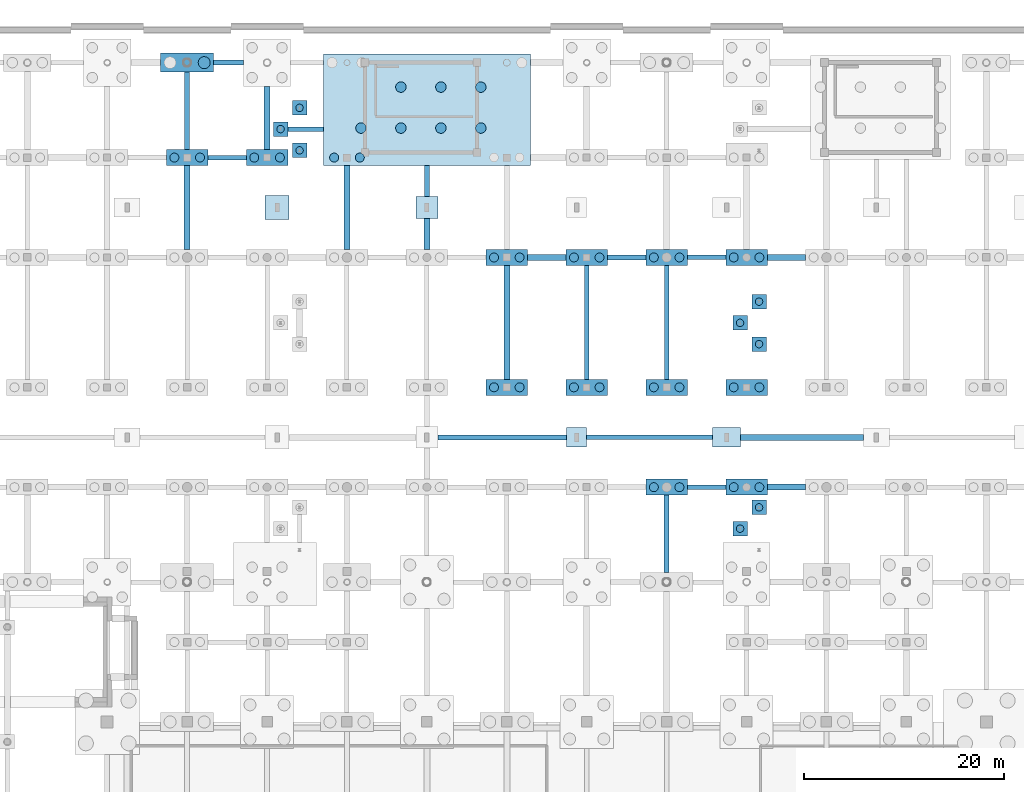
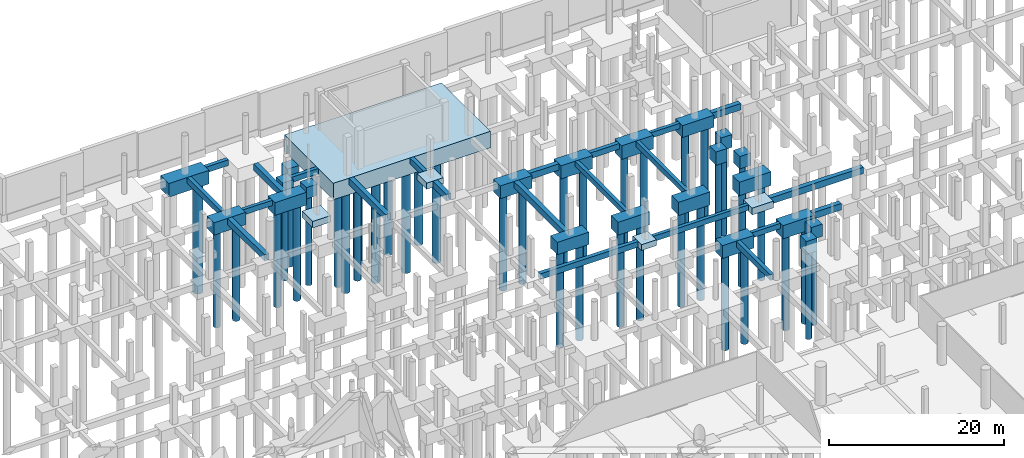
# One storey, part 15 of 65: 48 footings, 42 piles.
"""IFC4 building model written with IfcOpenShell, lengths in metres."""

from ifc_helpers import new_model, si_unit, direction, frame, origin, origin_2d, place, context, subcontext, project, spatial, rectangle, circle, extrude, material, material_profile, profile_set, type_object, element, save


model = new_model("IFC4")

# Units and contexts
model_context = context("Model", 3, precision=1e-05, world=origin(), true_north=direction((0.0, 1.0)))
body_context = subcontext(model_context, "Body", "Model", "MODEL_VIEW")
ifc_project = project(units=[si_unit("LENGTHUNIT", "METRE"), si_unit("AREAUNIT", "SQUARE_METRE"), si_unit("VOLUMEUNIT", "CUBIC_METRE"), si_unit("PLANEANGLEUNIT", "RADIAN"), si_unit("MASSUNIT", "GRAM", prefix="KILO")], contexts=[model_context])

# Site, building, storey
site_placement = place(None, origin())
site = spatial("IfcSite", under=ifc_project, at=site_placement, CompositionType="ELEMENT")
building_placement = place(site_placement, origin())
building = spatial("IfcBuilding", under=site, at=building_placement, Name="Khorjan Park Terminus", CompositionType="ELEMENT")
storey_placement = place(building_placement, frame((0.0, 0.0, -5.4)))
storey = spatial("IfcBuildingStorey", under=building, at=storey_placement, Name="B1", CompositionType="ELEMENT", Elevation=-5.4)

# Footings
ifc_material = material(Name="Concrete C40/50", Category="concrete")
ifc_material_profile_1 = material_profile(ifc_material, rectangle(XDim=0.45, YDim=0.75, at=origin_2d()), Name="RC 450x750")
ifc_profile_set_1 = profile_set([ifc_material_profile_1], Name="Concrete C40/50")
footing_type_1 = type_object("IfcFootingType", Name="FTG-GB-450x750", PredefinedType="FOOTING_BEAM", material=ifc_profile_set_1)
footing_1_placement = place(storey_placement, frame((106.082, 111.5, -0.375), z_axis=(1.0, 0.0, 0.0), x_axis=(0.0, 1.0, 0.0)))
element("IfcFooting", 1, at=footing_1_placement, inside=storey, type_object=footing_type_1, Name="Reinforced concrete ground tie beam FB-07 (119)", PredefinedType="FOOTING_BEAM", context=body_context, shape_type="SweptSolid", body=[
    extrude(rectangle(XDim=0.45, YDim=0.75, at=origin_2d()), origin(), (0.0, 0.0, 1.0), 3.836),
])
footing_2_placement = place(storey_placement, frame((96.0, 116.5, -0.375), z_axis=(1.0, 0.0, 0.0), x_axis=(0.0, 1.0, 0.0)))
element("IfcFooting", 2, at=footing_2_placement, inside=storey, type_object=footing_type_1, Name="Reinforced concrete ground tie beam FB-07 (131)", PredefinedType="FOOTING_BEAM", context=body_context, shape_type="SweptSolid", body=[
    extrude(rectangle(XDim=0.45, YDim=0.75, at=origin_2d()), origin(), (0.0, 0.0, 1.0), 12.6),
])
footing_3_placement = place(storey_placement, frame((106.082, 134.5, -0.375), z_axis=(1.0, 0.0, 0.0), x_axis=(0.0, 1.0, 0.0)))
element("IfcFooting", 3, at=footing_3_placement, inside=storey, type_object=footing_type_1, Name="Reinforced concrete ground tie beam FB-07 (146)", PredefinedType="FOOTING_BEAM", context=body_context, shape_type="SweptSolid", body=[
    extrude(rectangle(XDim=0.45, YDim=0.75, at=origin_2d()), origin(), (0.0, 0.0, 1.0), 3.836),
])
footing_4_placement = place(storey_placement, frame((58.083, 144.5, -0.375), z_axis=(1.0, 0.0, 0.0), x_axis=(0.0, 1.0, 0.0)))
element("IfcFooting", 4, at=footing_4_placement, inside=storey, type_object=footing_type_1, Name="Reinforced concrete ground tie beam FB-07 (158)", PredefinedType="FOOTING_BEAM", context=body_context, shape_type="SweptSolid", body=[
    extrude(rectangle(XDim=0.45, YDim=0.75, at=origin_2d()), origin(), (0.0, 0.0, 1.0), 3.834),
])
footing_5_placement = place(storey_placement, frame((66.075, 147.35, -0.375), z_axis=(1.0, 0.0, 0.0), x_axis=(0.0, 1.0, 0.0)))
element("IfcFooting", 5, at=footing_5_placement, inside=storey, type_object=footing_type_1, Name="Reinforced concrete ground tie beam FB-07 (164)", PredefinedType="FOOTING_BEAM", context=body_context, shape_type="SweptSolid", body=[
    extrude(rectangle(XDim=0.45, YDim=0.75, at=origin_2d()), origin(), (0.0, 0.0, 1.0), 3.554),
])
for number, where, z_axis, x_axis, name in (
    (6, (96.0, 122.3, -0.375), (0.0, 1.0, 0.0), (-1.0, 0.0, 0.0), "Reinforced concrete ground tie beam FB-07 (326)"),
    (7, (104.0, 122.3, -0.375), (0.0, 1.0, 0.0), (-1.0, 0.0, 0.0), "Reinforced concrete ground tie beam FB-07 (338)"),
):
    element("IfcFooting", number, at=place(storey_placement, frame(where, z_axis=z_axis, x_axis=x_axis)), inside=storey, type_object=footing_type_1, Name=name, PredefinedType="FOOTING_BEAM", context=body_context, shape_type="SweptSolid", body=[
        extrude(rectangle(XDim=0.45, YDim=0.75, at=origin_2d()), origin(), (0.0, 0.0, 1.0), 11.4),
    ])
ifc_material_profile_2 = material_profile(ifc_material, rectangle(XDim=0.5, YDim=0.8, at=origin_2d()), Name="RC 500x800")
ifc_profile_set_2 = profile_set([ifc_material_profile_2], Name="Concrete C40/50")
footing_type_2 = type_object("IfcFootingType", Name="FTG-GB-500x800", PredefinedType="FOOTING_BEAM", material=ifc_profile_set_2)
footing_6_placement = place(storey_placement, frame((81.1, 116.5, -0.4), z_axis=(1.0, 0.0, 0.0), x_axis=(0.0, 1.0, 0.0)))
element("IfcFooting", 8, at=footing_6_placement, inside=storey, type_object=footing_type_2, Name="Reinforced concrete ground tie beam FB-08 (130)", PredefinedType="FOOTING_BEAM", context=body_context, shape_type="SweptSolid", body=[
    extrude(rectangle(XDim=0.5, YDim=0.8, at=origin_2d()), origin(), (0.0, 0.0, 1.0), 12.9),
])
footing_7_placement = place(storey_placement, frame((98.082, 134.5, -0.4), z_axis=(1.0, 0.0, 0.0), x_axis=(0.0, 1.0, 0.0)))
element("IfcFooting", 9, at=footing_7_placement, inside=storey, type_object=footing_type_2, Name="Reinforced concrete ground tie beam FB-08 (145)", PredefinedType="FOOTING_BEAM", context=body_context, shape_type="SweptSolid", body=[
    extrude(rectangle(XDim=0.5, YDim=0.8, at=origin_2d()), origin(), (0.0, 0.0, 1.0), 3.836),
])
footing_8_placement = place(storey_placement, frame((58.66, 154.0, -0.4), z_axis=(1.0, 0.0, 0.0), x_axis=(0.0, 1.0, 0.0)))
element("IfcFooting", 10, at=footing_8_placement, inside=storey, type_object=footing_type_2, Name="Reinforced concrete ground tie beam FB-08 (172)", PredefinedType="FOOTING_BEAM", context=body_context, shape_type="SweptSolid", body=[
    extrude(rectangle(XDim=0.5, YDim=0.8, at=origin_2d()), origin(), (0.0, 0.0, 1.0), 2.969),
])
footing_9_placement = place(storey_placement, frame((56.0, 145.3, -0.4), z_axis=(0.0, 1.0, 0.0), x_axis=(-1.0, 0.0, 0.0)))
element("IfcFooting", 11, at=footing_9_placement, inside=storey, type_object=footing_type_2, Name="Reinforced concrete ground tie beam FB-08 (253)", PredefinedType="FOOTING_BEAM", context=body_context, shape_type="SweptSolid", body=[
    extrude(rectangle(XDim=0.5, YDim=0.8, at=origin_2d()), origin(), (0.0, 0.0, 1.0), 7.75),
])
footing_10_placement = place(storey_placement, frame((80.0, 140.6, -0.4), z_axis=(0.0, 1.0, 0.0), x_axis=(-1.0, 0.0, 0.0)))
element("IfcFooting", 12, at=footing_10_placement, inside=storey, type_object=footing_type_2, Name="Reinforced concrete ground tie beam FB-08 (301)", PredefinedType="FOOTING_BEAM", context=body_context, shape_type="SweptSolid", body=[
    extrude(rectangle(XDim=0.5, YDim=0.8, at=origin_2d()), origin(), (0.0, 0.0, 1.0), 3.1),
])
footing_11_placement = place(storey_placement, frame((104.0, 102.95, -0.4), z_axis=(0.0, 1.0, 0.0), x_axis=(-1.0, 0.0, 0.0)))
element("IfcFooting", 13, at=footing_11_placement, inside=storey, type_object=footing_type_2, Name="Reinforced concrete ground tie beam FB-08 (337)", PredefinedType="FOOTING_BEAM", context=body_context, shape_type="SweptSolid", body=[
    extrude(rectangle(XDim=0.5, YDim=0.8, at=origin_2d()), origin(), (0.0, 0.0, 1.0), 7.75),
])
ifc_material_profile_3 = material_profile(ifc_material, rectangle(XDim=0.6, YDim=0.9, at=origin_2d()), Name="RC 600x900")
ifc_profile_set_3 = profile_set([ifc_material_profile_3], Name="Concrete C40/50")
footing_type_3 = type_object("IfcFootingType", Name="FTG-GB-600x900", PredefinedType="FOOTING_BEAM", material=ifc_profile_set_3)
footing_12_placement = place(storey_placement, frame((114.082, 111.5, -0.45), z_axis=(1.0, 0.0, 0.0), x_axis=(0.0, 1.0, 0.0)))
element("IfcFooting", 14, at=footing_12_placement, inside=storey, type_object=footing_type_3, Name="Reinforced concrete ground tie beam FB-09 (120)", PredefinedType="FOOTING_BEAM", context=body_context, shape_type="SweptSolid", body=[
    extrude(rectangle(XDim=0.6, YDim=0.9, at=origin_2d()), origin(), (0.0, 0.0, 1.0), 3.836),
])
footing_13_placement = place(storey_placement, frame((111.4, 116.5, -0.45), z_axis=(1.0, 0.0, 0.0), x_axis=(0.0, 1.0, 0.0)))
element("IfcFooting", 15, at=footing_13_placement, inside=storey, type_object=footing_type_3, Name="Reinforced concrete ground tie beam FB-09 (132)", PredefinedType="FOOTING_BEAM", context=body_context, shape_type="SweptSolid", body=[
    extrude(rectangle(XDim=0.6, YDim=0.9, at=origin_2d()), origin(), (0.0, 0.0, 1.0), 12.3),
])
for number, where, z_axis, x_axis, name in (
    (16, (90.082, 134.5, -0.45), (1.0, 0.0, 0.0), (0.0, 1.0, 0.0), "Reinforced concrete ground tie beam FB-09 (144)"),
    (17, (114.082, 134.5, -0.45), (1.0, 0.0, 0.0), (0.0, 1.0, 0.0), "Reinforced concrete ground tie beam FB-09 (147)"),
):
    element("IfcFooting", number, at=place(storey_placement, frame(where, z_axis=z_axis, x_axis=x_axis)), inside=storey, type_object=footing_type_3, Name=name, PredefinedType="FOOTING_BEAM", context=body_context, shape_type="SweptSolid", body=[
        extrude(rectangle(XDim=0.6, YDim=0.9, at=origin_2d()), origin(), (0.0, 0.0, 1.0), 3.836),
    ])
footing_14_placement = place(storey_placement, frame((56.0, 135.3, -0.45), z_axis=(0.0, 1.0, 0.0), x_axis=(-1.0, 0.0, 0.0)))
element("IfcFooting", 18, at=footing_14_placement, inside=storey, type_object=footing_type_3, Name="Reinforced concrete ground tie beam FB-09 (252)", PredefinedType="FOOTING_BEAM", context=body_context, shape_type="SweptSolid", body=[
    extrude(rectangle(XDim=0.6, YDim=0.9, at=origin_2d()), origin(), (0.0, 0.0, 1.0), 8.4),
])
footing_15_placement = place(storey_placement, frame((64.0, 145.3, -0.45), z_axis=(0.0, 1.0, 0.0), x_axis=(-1.0, 0.0, 0.0)))
element("IfcFooting", 19, at=footing_15_placement, inside=storey, type_object=footing_type_3, Name="Reinforced concrete ground tie beam FB-09 (270)", PredefinedType="FOOTING_BEAM", context=body_context, shape_type="SweptSolid", body=[
    extrude(rectangle(XDim=0.6, YDim=0.9, at=origin_2d()), origin(), (0.0, 0.0, 1.0), 6.329),
])
footing_16_placement = place(storey_placement, frame((72.0, 135.3, -0.45), z_axis=(0.0, 1.0, 0.0), x_axis=(-1.0, 0.0, 0.0)))
element("IfcFooting", 20, at=footing_16_placement, inside=storey, type_object=footing_type_3, Name="Reinforced concrete ground tie beam FB-09 (282)", PredefinedType="FOOTING_BEAM", context=body_context, shape_type="SweptSolid", body=[
    extrude(rectangle(XDim=0.6, YDim=0.9, at=origin_2d()), origin(), (0.0, 0.0, 1.0), 8.4),
])
footing_17_placement = place(storey_placement, frame((80.0, 135.3, -0.45), z_axis=(0.0, 1.0, 0.0), x_axis=(-1.0, 0.0, 0.0)))
element("IfcFooting", 21, at=footing_17_placement, inside=storey, type_object=footing_type_3, Name="Reinforced concrete ground tie beam FB-09 (300)", PredefinedType="FOOTING_BEAM", context=body_context, shape_type="SweptSolid", body=[
    extrude(rectangle(XDim=0.6, YDim=0.9, at=origin_2d()), origin(), (0.0, 0.0, 1.0), 3.1),
])
footing_18_placement = place(storey_placement, frame((88.0, 122.3, -0.45), z_axis=(0.0, 1.0, 0.0), x_axis=(-1.0, 0.0, 0.0)))
element("IfcFooting", 22, at=footing_18_placement, inside=storey, type_object=footing_type_3, Name="Reinforced concrete ground tie beam FB-09 (312)", PredefinedType="FOOTING_BEAM", context=body_context, shape_type="SweptSolid", body=[
    extrude(rectangle(XDim=0.6, YDim=0.9, at=origin_2d()), origin(), (0.0, 0.0, 1.0), 11.4),
])
footing_type_4 = type_object("IfcFootingType", Name="FTG-PAD-2000", PredefinedType="PAD_FOOTING", material=ifc_material)
footing_19_placement = place(storey_placement, frame((95.0, 116.5, -0.8), z_axis=(0.0, 0.0, 1.0), x_axis=(1.0, 0.0, 0.0)))
element("IfcFooting", 23, at=footing_19_placement, inside=storey, type_object=footing_type_4, Name="Reinforced concrete pad footing PF-20 (7)", PredefinedType="PAD_FOOTING", context=body_context, shape_type="SweptSolid", body=[
    extrude(rectangle(XDim=2.0, YDim=2.0, at=origin_2d()), origin(), (0.0, 0.0, 1.0), 0.8),
])
footing_type_5 = type_object("IfcFootingType", Name="FTG-PAD-2200", PredefinedType="PAD_FOOTING", material=ifc_material)
footing_20_placement = place(storey_placement, frame((80.0, 139.5, -0.85), z_axis=(0.0, 0.0, 1.0), x_axis=(1.0, 0.0, 0.0)))
element("IfcFooting", 24, at=footing_20_placement, inside=storey, type_object=footing_type_5, Name="Reinforced concrete pad footing PF-22 (16)", PredefinedType="PAD_FOOTING", context=body_context, shape_type="SweptSolid", body=[
    extrude(rectangle(XDim=2.2, YDim=2.2, at=origin_2d()), origin(), (0.0, 0.0, 1.0), 0.85),
])
footing_type_6 = type_object("IfcFootingType", Name="FTG-PAD-2400", PredefinedType="PAD_FOOTING", material=ifc_material)
footing_21_placement = place(storey_placement, frame((65.0, 139.5, -0.9), z_axis=(0.0, 0.0, 1.0), x_axis=(1.0, 0.0, 0.0)))
element("IfcFooting", 25, at=footing_21_placement, inside=storey, type_object=footing_type_6, Name="Reinforced concrete pad footing PF-24 (15)", PredefinedType="PAD_FOOTING", context=body_context, shape_type="SweptSolid", body=[
    extrude(rectangle(XDim=2.4, YDim=2.4, at=origin_2d()), origin(), (0.0, 0.0, 1.0), 0.9),
])
footing_type_7 = type_object("IfcFootingType", Name="FTG-PAD-2800x2000", PredefinedType="PAD_FOOTING", material=ifc_material)
footing_22_placement = place(storey_placement, frame((110.0, 116.5, -0.95), z_axis=(0.0, 0.0, 1.0), x_axis=(1.0, 0.0, 0.0)))
element("IfcFooting", 26, at=footing_22_placement, inside=storey, type_object=footing_type_7, Name="Reinforced concrete pad footing PF-28 (8)", PredefinedType="PAD_FOOTING", context=body_context, shape_type="SweptSolid", body=[
    extrude(rectangle(XDim=2.8, YDim=2.0, at=origin_2d()), origin(), (0.0, 0.0, 1.0), 0.95),
])
footing_type_8 = type_object("IfcFootingType", Name="FTG-PC-05", PredefinedType="PILE_CAP", material=ifc_material)
footing_23_placement = place(storey_placement, frame((63.9995, 144.5, -1.78), z_axis=(0.0, 0.0, 1.0), x_axis=(1.0, 0.0, 0.0)))
element("IfcFooting", 27, at=footing_23_placement, inside=storey, type_object=footing_type_8, Name="Reinforced concrete pile cap PC-05 (113)", PredefinedType="PILE_CAP", context=body_context, shape_type="SweptSolid", body=[
    extrude(rectangle(XDim=4.165, YDim=1.6, at=origin_2d()), origin(), (0.0, 0.0, 1.0), 1.78),
])
footing_type_9 = type_object("IfcFootingType", Name="FTG-PC-08", PredefinedType="PILE_CAP", material=ifc_material)
footing_24_placement = place(storey_placement, frame((56.0, 144.5, -1.72), z_axis=(0.0, 0.0, 1.0), x_axis=(1.0, 0.0, 0.0)))
element("IfcFooting", 28, at=footing_24_placement, inside=storey, type_object=footing_type_9, Name="Reinforced concrete pile cap PC-08 (91)", PredefinedType="PILE_CAP", context=body_context, shape_type="SweptSolid", body=[
    extrude(rectangle(XDim=4.166, YDim=1.6, at=origin_2d()), origin(), (0.0, 0.0, 1.0), 1.72),
])
footing_type_10 = type_object("IfcFootingType", Name="FTG-PC-11", PredefinedType="PILE_CAP", material=ifc_material)
for number, where, z_axis, x_axis, name in (
    (29, (96.0, 134.5, -1.84), (0.0, 0.0, 1.0), (1.0, 0.0, 0.0), "Reinforced concrete pile cap PC-11 (187)"),
    (30, (104.0, 121.5, -1.84), (0.0, 0.0, 1.0), (1.0, 0.0, 0.0), "Reinforced concrete pile cap PC-11 (204)"),
    (31, (112.0, 111.5, -1.84), (0.0, 0.0, 1.0), (1.0, 0.0, 0.0), "Reinforced concrete pile cap PC-11 (219)"),
):
    element("IfcFooting", number, at=place(storey_placement, frame(where, z_axis=z_axis, x_axis=x_axis)), inside=storey, type_object=footing_type_10, Name=name, PredefinedType="PILE_CAP", context=body_context, shape_type="SweptSolid", body=[
        extrude(rectangle(XDim=4.164, YDim=1.6, at=origin_2d()), origin(), (0.0, 0.0, 1.0), 1.84),
    ])
footing_type_11 = type_object("IfcFootingType", Name="FTG-PC-12", PredefinedType="PILE_CAP", material=ifc_material)
for number, where, z_axis, x_axis, name in (
    (32, (104.0, 134.5, -1.9), (0.0, 0.0, 1.0), (1.0, 0.0, 0.0), "Reinforced concrete pile cap PC-12 (205)"),
    (33, (112.0, 121.5, -1.9), (0.0, 0.0, 1.0), (1.0, 0.0, 0.0), "Reinforced concrete pile cap PC-12 (220)"),
):
    element("IfcFooting", number, at=place(storey_placement, frame(where, z_axis=z_axis, x_axis=x_axis)), inside=storey, type_object=footing_type_11, Name=name, PredefinedType="PILE_CAP", context=body_context, shape_type="SweptSolid", body=[
        extrude(rectangle(XDim=4.164, YDim=1.6, at=origin_2d()), origin(), (0.0, 0.0, 1.0), 1.9),
    ])
footing_type_12 = type_object("IfcFootingType", Name="FTG-PC-13", PredefinedType="PILE_CAP", material=ifc_material)
footing_25_placement = place(storey_placement, frame((112.0, 134.5, -1.66), z_axis=(0.0, 0.0, 1.0), x_axis=(1.0, 0.0, 0.0)))
element("IfcFooting", 34, at=footing_25_placement, inside=storey, type_object=footing_type_12, Name="Reinforced concrete pile cap PC-13 (221)", PredefinedType="PILE_CAP", context=body_context, shape_type="SweptSolid", body=[
    extrude(rectangle(XDim=4.164, YDim=1.6, at=origin_2d()), origin(), (0.0, 0.0, 1.0), 1.66),
])
footing_type_13 = type_object("IfcFootingType", Name="FTG-PC-14", PredefinedType="PILE_CAP", material=ifc_material)
footing_26_placement = place(storey_placement, frame((88.0, 121.5, -1.72), z_axis=(0.0, 0.0, 1.0), x_axis=(1.0, 0.0, 0.0)))
element("IfcFooting", 35, at=footing_26_placement, inside=storey, type_object=footing_type_13, Name="Reinforced concrete pile cap PC-14 (168)", PredefinedType="PILE_CAP", context=body_context, shape_type="SweptSolid", body=[
    extrude(rectangle(XDim=4.164, YDim=1.6, at=origin_2d()), origin(), (0.0, 0.0, 1.0), 1.72),
])
footing_type_14 = type_object("IfcFootingType", Name="FTG-PC-15", PredefinedType="PILE_CAP", material=ifc_material)
footing_27_placement = place(storey_placement, frame((67.25, 145.22, -1.6), z_axis=(0.0, 0.0, 1.0), x_axis=(1.0, 0.0, 0.0)))
element("IfcFooting", 36, at=footing_27_placement, inside=storey, type_object=footing_type_14, Name="Reinforced concrete pile cap PC-15 (124)", PredefinedType="PILE_CAP", context=body_context, shape_type="SweptSolid", body=[
    extrude(rectangle(XDim=1.45, YDim=1.45, at=origin_2d()), origin(), (0.0, 0.0, 1.0), 1.6),
])
footing_type_15 = type_object("IfcFootingType", Name="FTG-PC-16", PredefinedType="PILE_CAP", material=ifc_material)
footing_28_placement = place(storey_placement, frame((67.25, 149.48, -1.66), z_axis=(0.0, 0.0, 1.0), x_axis=(1.0, 0.0, 0.0)))
element("IfcFooting", 37, at=footing_28_placement, inside=storey, type_object=footing_type_15, Name="Reinforced concrete pile cap PC-16 (125)", PredefinedType="PILE_CAP", context=body_context, shape_type="SweptSolid", body=[
    extrude(rectangle(XDim=1.45, YDim=1.45, at=origin_2d()), origin(), (0.0, 0.0, 1.0), 1.66),
])
footing_type_16 = type_object("IfcFootingType", Name="FTG-PC-17", PredefinedType="PILE_CAP", material=ifc_material)
for number, where, z_axis, x_axis, name in (
    (38, (65.35, 147.35, -1.72), (0.0, 0.0, 1.0), (1.0, 0.0, 0.0), "Reinforced concrete pile cap PC-17 (120)"),
    (39, (113.25, 109.48, -1.72), (0.0, 0.0, 1.0), (1.0, 0.0, 0.0), "Reinforced concrete pile cap PC-17 (228)"),
    (40, (113.25, 125.82, -1.72), (0.0, 0.0, 1.0), (1.0, 0.0, 0.0), "Reinforced concrete pile cap PC-17 (229)"),
):
    element("IfcFooting", number, at=place(storey_placement, frame(where, z_axis=z_axis, x_axis=x_axis)), inside=storey, type_object=footing_type_16, Name=name, PredefinedType="PILE_CAP", context=body_context, shape_type="SweptSolid", body=[
        extrude(rectangle(XDim=1.45, YDim=1.45, at=origin_2d()), origin(), (0.0, 0.0, 1.0), 1.72),
    ])
footing_type_17 = type_object("IfcFootingType", Name="FTG-PC-18", PredefinedType="PILE_CAP", material=ifc_material)
for number, where, z_axis, x_axis, name in (
    (41, (88.0, 134.5, -1.78), (0.0, 0.0, 1.0), (1.0, 0.0, 0.0), "Reinforced concrete pile cap PC-18 (169)"),
    (42, (96.0, 121.5, -1.78), (0.0, 0.0, 1.0), (1.0, 0.0, 0.0), "Reinforced concrete pile cap PC-18 (186)"),
    (43, (104.0, 111.5, -1.78), (0.0, 0.0, 1.0), (1.0, 0.0, 0.0), "Reinforced concrete pile cap PC-18 (203)"),
):
    element("IfcFooting", number, at=place(storey_placement, frame(where, z_axis=z_axis, x_axis=x_axis)), inside=storey, type_object=footing_type_17, Name=name, PredefinedType="PILE_CAP", context=body_context, shape_type="SweptSolid", body=[
        extrude(rectangle(XDim=4.164, YDim=1.6, at=origin_2d()), origin(), (0.0, 0.0, 1.0), 1.78),
    ])
footing_type_18 = type_object("IfcFootingType", Name="FTG-PC-21", PredefinedType="PILE_CAP", material=ifc_material)
footing_29_placement = place(storey_placement, frame((111.35, 127.95, -1.84), z_axis=(0.0, 0.0, 1.0), x_axis=(1.0, 0.0, 0.0)))
element("IfcFooting", 44, at=footing_29_placement, inside=storey, type_object=footing_type_18, Name="Reinforced concrete pile cap PC-21 (224)", PredefinedType="PILE_CAP", context=body_context, shape_type="SweptSolid", body=[
    extrude(rectangle(XDim=1.45, YDim=1.45, at=origin_2d()), origin(), (0.0, 0.0, 1.0), 1.84),
])
footing_type_19 = type_object("IfcFootingType", Name="FTG-PC-22", PredefinedType="PILE_CAP", material=ifc_material)
for number, where, z_axis, x_axis, name in (
    (45, (111.35, 107.35, -1.78), (0.0, 0.0, 1.0), (1.0, 0.0, 0.0), "Reinforced concrete pile cap PC-22 (223)"),
    (46, (113.25, 130.08, -1.78), (0.0, 0.0, 1.0), (1.0, 0.0, 0.0), "Reinforced concrete pile cap PC-22 (230)"),
):
    element("IfcFooting", number, at=place(storey_placement, frame(where, z_axis=z_axis, x_axis=x_axis)), inside=storey, type_object=footing_type_19, Name=name, PredefinedType="PILE_CAP", context=body_context, shape_type="SweptSolid", body=[
        extrude(rectangle(XDim=1.45, YDim=1.45, at=origin_2d()), origin(), (0.0, 0.0, 1.0), 1.78),
    ])
footing_type_20 = type_object("IfcFootingType", Name="FTG-PC-34", PredefinedType="PILE_CAP", material=ifc_material)
footing_30_placement = place(storey_placement, frame((56.0, 154.0, -1.9), z_axis=(0.0, 0.0, 1.0), x_axis=(1.0, 0.0, 0.0)))
element("IfcFooting", 47, at=footing_30_placement, inside=storey, type_object=footing_type_20, Name="Reinforced concrete pile cap PC-34 (86)", PredefinedType="PILE_CAP", context=body_context, shape_type="SweptSolid", body=[
    extrude(rectangle(XDim=5.32, YDim=1.9, at=origin_2d()), origin(), (0.0, 0.0, 1.0), 1.9),
])
footing_type_21 = type_object("IfcFootingType", Name="FTG-PC-44", PredefinedType="PILE_CAP", material=ifc_material)
footing_31_placement = place(storey_placement, frame((80.0, 149.2875, -2.3), z_axis=(0.0, 0.0, 1.0), x_axis=(1.0, 0.0, 0.0)))
element("IfcFooting", 48, at=footing_31_placement, inside=storey, type_object=footing_type_21, Name="Reinforced concrete pile cap PC-44 (131)", PredefinedType="PILE_CAP", context=body_context, shape_type="SweptSolid", body=[
    extrude(rectangle(XDim=20.742, YDim=11.175, at=origin_2d()), origin(), (0.0, 0.0, 1.0), 2.3),
])

# Piles
ifc_material_profile_4 = material_profile(ifc_material, circle(Radius=0.525, at=origin_2d()), Name="BORED D1050")
ifc_profile_set_4 = profile_set([ifc_material_profile_4], Name="Concrete C40/50")
pile_type_1 = type_object("IfcPileType", Name="PL-D1050", PredefinedType="BORED", material=ifc_profile_set_4)
for number, where, z_axis, x_axis, name in (
    (49, (73.4, 147.45, -2.2), (0.0, 0.0, -1.0), (1.0, 0.0, 0.0), "Bored rock-socketed pile PL-105 (291)"),
    (50, (77.4, 147.45, -2.2), (0.0, 0.0, -1.0), (1.0, 0.0, 0.0), "Bored rock-socketed pile PL-105 (292)"),
    (51, (77.4, 151.55, -2.2), (0.0, 0.0, -1.0), (1.0, 0.0, 0.0), "Bored rock-socketed pile PL-105 (293)"),
    (52, (81.4, 147.45, -2.2), (0.0, 0.0, -1.0), (1.0, 0.0, 0.0), "Bored rock-socketed pile PL-105 (294)"),
    (53, (81.4, 151.55, -2.2), (0.0, 0.0, -1.0), (1.0, 0.0, 0.0), "Bored rock-socketed pile PL-105 (295)"),
    (54, (85.4, 147.45, -2.2), (0.0, 0.0, -1.0), (1.0, 0.0, 0.0), "Bored rock-socketed pile PL-105 (296)"),
    (55, (85.4, 151.55, -2.2), (0.0, 0.0, -1.0), (1.0, 0.0, 0.0), "Bored rock-socketed pile PL-105 (297)"),
):
    element("IfcPile", number, at=place(storey_placement, frame(where, z_axis=z_axis, x_axis=x_axis)), inside=storey, type_object=pile_type_1, Name=name, PredefinedType="BORED", context=body_context, shape_type="SweptSolid", body=[
        extrude(circle(Radius=0.525, at=origin_2d()), origin(), (0.0, 0.0, 1.0), 16.4),
    ])
ifc_material_profile_5 = material_profile(ifc_material, circle(Radius=0.6, at=origin_2d()), Name="BORED D1200")
ifc_profile_set_5 = profile_set([ifc_material_profile_5], Name="Concrete C40/50")
pile_type_2 = type_object("IfcPileType", Name="PL-D1200", PredefinedType="BORED", material=ifc_profile_set_5)
pile_1_placement = place(storey_placement, frame((57.71, 154.0, -1.8), z_axis=(0.0, 0.0, -1.0), x_axis=(1.0, 0.0, 0.0)))
element("IfcPile", 56, at=pile_1_placement, inside=storey, type_object=pile_type_2, Name="Bored rock-socketed pile PL-120 (209)", PredefinedType="BORED", context=body_context, shape_type="SweptSolid", body=[
    extrude(circle(Radius=0.6, at=origin_2d()), origin(), (0.0, 0.0, 1.0), 15.3),
])
ifc_material_profile_6 = material_profile(ifc_material, circle(Radius=0.375, at=origin_2d()), Name="BORED D750")
ifc_profile_set_6 = profile_set([ifc_material_profile_6], Name="Concrete C40/50")
pile_type_3 = type_object("IfcPileType", Name="PL-D750", PredefinedType="BORED", material=ifc_profile_set_6)
pile_2_placement = place(storey_placement, frame((65.35, 147.35, -1.62), z_axis=(0.0, 0.0, -1.0), x_axis=(1.0, 0.0, 0.0)))
element("IfcPile", 57, at=pile_2_placement, inside=storey, type_object=pile_type_3, Name="Bored rock-socketed pile PL-75 (274)", PredefinedType="BORED", context=body_context, shape_type="SweptSolid", body=[
    extrude(circle(Radius=0.375, at=origin_2d()), origin(), (0.0, 0.0, 1.0), 12.48),
])
pile_3_placement = place(storey_placement, frame((67.25, 145.22, -1.5), z_axis=(0.0, 0.0, -1.0), x_axis=(1.0, 0.0, 0.0)))
element("IfcPile", 58, at=pile_3_placement, inside=storey, type_object=pile_type_3, Name="Bored rock-socketed pile PL-75 (278)", PredefinedType="BORED", context=body_context, shape_type="SweptSolid", body=[
    extrude(circle(Radius=0.375, at=origin_2d()), origin(), (0.0, 0.0, 1.0), 12.6),
])
pile_4_placement = place(storey_placement, frame((67.25, 149.48, -1.56), z_axis=(0.0, 0.0, -1.0), x_axis=(1.0, 0.0, 0.0)))
element("IfcPile", 59, at=pile_4_placement, inside=storey, type_object=pile_type_3, Name="Bored rock-socketed pile PL-75 (279)", PredefinedType="BORED", context=body_context, shape_type="SweptSolid", body=[
    extrude(circle(Radius=0.375, at=origin_2d()), origin(), (0.0, 0.0, 1.0), 12.54),
])
pile_5_placement = place(storey_placement, frame((111.35, 107.35, -1.68), z_axis=(0.0, 0.0, -1.0), x_axis=(1.0, 0.0, 0.0)))
element("IfcPile", 60, at=pile_5_placement, inside=storey, type_object=pile_type_3, Name="Bored rock-socketed pile PL-75 (764)", PredefinedType="BORED", context=body_context, shape_type="SweptSolid", body=[
    extrude(circle(Radius=0.375, at=origin_2d()), origin(), (0.0, 0.0, 1.0), 12.42),
])
pile_6_placement = place(storey_placement, frame((111.35, 127.95, -1.74), z_axis=(0.0, 0.0, -1.0), x_axis=(1.0, 0.0, 0.0)))
element("IfcPile", 61, at=pile_6_placement, inside=storey, type_object=pile_type_3, Name="Bored rock-socketed pile PL-75 (765)", PredefinedType="BORED", context=body_context, shape_type="SweptSolid", body=[
    extrude(circle(Radius=0.375, at=origin_2d()), origin(), (0.0, 0.0, 1.0), 12.36),
])
for number, where, z_axis, x_axis, name in (
    (62, (113.25, 109.48, -1.62), (0.0, 0.0, -1.0), (1.0, 0.0, 0.0), "Bored rock-socketed pile PL-75 (769)"),
    (63, (113.25, 125.82, -1.62), (0.0, 0.0, -1.0), (1.0, 0.0, 0.0), "Bored rock-socketed pile PL-75 (770)"),
):
    element("IfcPile", number, at=place(storey_placement, frame(where, z_axis=z_axis, x_axis=x_axis)), inside=storey, type_object=pile_type_3, Name=name, PredefinedType="BORED", context=body_context, shape_type="SweptSolid", body=[
        extrude(circle(Radius=0.375, at=origin_2d()), origin(), (0.0, 0.0, 1.0), 12.48),
    ])
pile_7_placement = place(storey_placement, frame((113.25, 130.08, -1.68), z_axis=(0.0, 0.0, -1.0), x_axis=(1.0, 0.0, 0.0)))
element("IfcPile", 64, at=pile_7_placement, inside=storey, type_object=pile_type_3, Name="Bored rock-socketed pile PL-75 (771)", PredefinedType="BORED", context=body_context, shape_type="SweptSolid", body=[
    extrude(circle(Radius=0.375, at=origin_2d()), origin(), (0.0, 0.0, 1.0), 12.42),
])
ifc_material_profile_7 = material_profile(ifc_material, circle(Radius=0.45, at=origin_2d()), Name="BORED D900")
ifc_profile_set_7 = profile_set([ifc_material_profile_7], Name="Concrete C40/50")
pile_type_4 = type_object("IfcPileType", Name="PL-D900", PredefinedType="BORED", material=ifc_profile_set_7)
for number, where, z_axis, x_axis, name in (
    (65, (54.7175, 144.5, -1.62), (0.0, 0.0, -1.0), (1.0, 0.0, 0.0), "Bored rock-socketed pile PL-90 (218)"),
    (66, (57.2825, 144.5, -1.62), (0.0, 0.0, -1.0), (1.0, 0.0, 0.0), "Bored rock-socketed pile PL-90 (219)"),
):
    element("IfcPile", number, at=place(storey_placement, frame(where, z_axis=z_axis, x_axis=x_axis)), inside=storey, type_object=pile_type_4, Name=name, PredefinedType="BORED", context=body_context, shape_type="SweptSolid", body=[
        extrude(circle(Radius=0.45, at=origin_2d()), origin(), (0.0, 0.0, 1.0), 13.48),
    ])
for number, where, z_axis, x_axis, name in (
    (67, (62.7175, 144.5, -1.68), (0.0, 0.0, -1.0), (1.0, 0.0, 0.0), "Bored rock-socketed pile PL-90 (266)"),
    (68, (65.2825, 144.5, -1.68), (0.0, 0.0, -1.0), (1.0, 0.0, 0.0), "Bored rock-socketed pile PL-90 (267)"),
):
    element("IfcPile", number, at=place(storey_placement, frame(where, z_axis=z_axis, x_axis=x_axis)), inside=storey, type_object=pile_type_4, Name=name, PredefinedType="BORED", context=body_context, shape_type="SweptSolid", body=[
        extrude(circle(Radius=0.45, at=origin_2d()), origin(), (0.0, 0.0, 1.0), 13.42),
    ])
for number, where, z_axis, x_axis, name in (
    (69, (70.7175, 144.5, -2.2), (0.0, 0.0, -1.0), (1.0, 0.0, 0.0), "Bored rock-socketed pile PL-90 (299)"),
    (70, (73.2825, 144.5, -2.2), (0.0, 0.0, -1.0), (1.0, 0.0, 0.0), "Bored rock-socketed pile PL-90 (300)"),
):
    element("IfcPile", number, at=place(storey_placement, frame(where, z_axis=z_axis, x_axis=x_axis)), inside=storey, type_object=pile_type_4, Name=name, PredefinedType="BORED", context=body_context, shape_type="SweptSolid", body=[
        extrude(circle(Radius=0.45, at=origin_2d()), origin(), (0.0, 0.0, 1.0), 12.9),
    ])
for number, where, z_axis, x_axis, name in (
    (71, (86.7175, 121.5, -1.62), (0.0, 0.0, -1.0), (1.0, 0.0, 0.0), "Bored rock-socketed pile PL-90 (374)"),
    (72, (89.2825, 121.5, -1.62), (0.0, 0.0, -1.0), (1.0, 0.0, 0.0), "Bored rock-socketed pile PL-90 (375)"),
):
    element("IfcPile", number, at=place(storey_placement, frame(where, z_axis=z_axis, x_axis=x_axis)), inside=storey, type_object=pile_type_4, Name=name, PredefinedType="BORED", context=body_context, shape_type="SweptSolid", body=[
        extrude(circle(Radius=0.45, at=origin_2d()), origin(), (0.0, 0.0, 1.0), 13.48),
    ])
for number, where, z_axis, x_axis, name in (
    (73, (86.7175, 134.5, -1.68), (0.0, 0.0, -1.0), (1.0, 0.0, 0.0), "Bored rock-socketed pile PL-90 (376)"),
    (74, (89.2825, 134.5, -1.68), (0.0, 0.0, -1.0), (1.0, 0.0, 0.0), "Bored rock-socketed pile PL-90 (377)"),
    (75, (94.7175, 121.5, -1.68), (0.0, 0.0, -1.0), (1.0, 0.0, 0.0), "Bored rock-socketed pile PL-90 (418)"),
    (76, (97.2825, 121.5, -1.68), (0.0, 0.0, -1.0), (1.0, 0.0, 0.0), "Bored rock-socketed pile PL-90 (419)"),
):
    element("IfcPile", number, at=place(storey_placement, frame(where, z_axis=z_axis, x_axis=x_axis)), inside=storey, type_object=pile_type_4, Name=name, PredefinedType="BORED", context=body_context, shape_type="SweptSolid", body=[
        extrude(circle(Radius=0.45, at=origin_2d()), origin(), (0.0, 0.0, 1.0), 13.42),
    ])
for number, where, z_axis, x_axis, name in (
    (77, (94.7175, 134.5, -1.74), (0.0, 0.0, -1.0), (1.0, 0.0, 0.0), "Bored rock-socketed pile PL-90 (420)"),
    (78, (97.2825, 134.5, -1.74), (0.0, 0.0, -1.0), (1.0, 0.0, 0.0), "Bored rock-socketed pile PL-90 (421)"),
):
    element("IfcPile", number, at=place(storey_placement, frame(where, z_axis=z_axis, x_axis=x_axis)), inside=storey, type_object=pile_type_4, Name=name, PredefinedType="BORED", context=body_context, shape_type="SweptSolid", body=[
        extrude(circle(Radius=0.45, at=origin_2d()), origin(), (0.0, 0.0, 1.0), 13.36),
    ])
for number, where, z_axis, x_axis, name in (
    (79, (102.7175, 111.5, -1.68), (0.0, 0.0, -1.0), (1.0, 0.0, 0.0), "Bored rock-socketed pile PL-90 (446)"),
    (80, (105.2825, 111.5, -1.68), (0.0, 0.0, -1.0), (1.0, 0.0, 0.0), "Bored rock-socketed pile PL-90 (447)"),
):
    element("IfcPile", number, at=place(storey_placement, frame(where, z_axis=z_axis, x_axis=x_axis)), inside=storey, type_object=pile_type_4, Name=name, PredefinedType="BORED", context=body_context, shape_type="SweptSolid", body=[
        extrude(circle(Radius=0.45, at=origin_2d()), origin(), (0.0, 0.0, 1.0), 13.42),
    ])
for number, where, z_axis, x_axis, name in (
    (81, (102.7175, 121.5, -1.74), (0.0, 0.0, -1.0), (1.0, 0.0, 0.0), "Bored rock-socketed pile PL-90 (448)"),
    (82, (105.2825, 121.5, -1.74), (0.0, 0.0, -1.0), (1.0, 0.0, 0.0), "Bored rock-socketed pile PL-90 (449)"),
):
    element("IfcPile", number, at=place(storey_placement, frame(where, z_axis=z_axis, x_axis=x_axis)), inside=storey, type_object=pile_type_4, Name=name, PredefinedType="BORED", context=body_context, shape_type="SweptSolid", body=[
        extrude(circle(Radius=0.45, at=origin_2d()), origin(), (0.0, 0.0, 1.0), 13.36),
    ])
for number, where, z_axis, x_axis, name in (
    (83, (102.7175, 134.5, -1.8), (0.0, 0.0, -1.0), (1.0, 0.0, 0.0), "Bored rock-socketed pile PL-90 (450)"),
    (84, (105.2825, 134.5, -1.8), (0.0, 0.0, -1.0), (1.0, 0.0, 0.0), "Bored rock-socketed pile PL-90 (451)"),
):
    element("IfcPile", number, at=place(storey_placement, frame(where, z_axis=z_axis, x_axis=x_axis)), inside=storey, type_object=pile_type_4, Name=name, PredefinedType="BORED", context=body_context, shape_type="SweptSolid", body=[
        extrude(circle(Radius=0.45, at=origin_2d()), origin(), (0.0, 0.0, 1.0), 13.3),
    ])
for number, where, z_axis, x_axis, name in (
    (85, (110.7175, 111.5, -1.74), (0.0, 0.0, -1.0), (1.0, 0.0, 0.0), "Bored rock-socketed pile PL-90 (756)"),
    (86, (113.2825, 111.5, -1.74), (0.0, 0.0, -1.0), (1.0, 0.0, 0.0), "Bored rock-socketed pile PL-90 (757)"),
):
    element("IfcPile", number, at=place(storey_placement, frame(where, z_axis=z_axis, x_axis=x_axis)), inside=storey, type_object=pile_type_4, Name=name, PredefinedType="BORED", context=body_context, shape_type="SweptSolid", body=[
        extrude(circle(Radius=0.45, at=origin_2d()), origin(), (0.0, 0.0, 1.0), 13.36),
    ])
for number, where, z_axis, x_axis, name in (
    (87, (110.7175, 121.5, -1.8), (0.0, 0.0, -1.0), (1.0, 0.0, 0.0), "Bored rock-socketed pile PL-90 (758)"),
    (88, (113.2825, 121.5, -1.8), (0.0, 0.0, -1.0), (1.0, 0.0, 0.0), "Bored rock-socketed pile PL-90 (759)"),
):
    element("IfcPile", number, at=place(storey_placement, frame(where, z_axis=z_axis, x_axis=x_axis)), inside=storey, type_object=pile_type_4, Name=name, PredefinedType="BORED", context=body_context, shape_type="SweptSolid", body=[
        extrude(circle(Radius=0.45, at=origin_2d()), origin(), (0.0, 0.0, 1.0), 13.3),
    ])
for number, where, z_axis, x_axis, name in (
    (89, (110.7175, 134.5, -1.56), (0.0, 0.0, -1.0), (1.0, 0.0, 0.0), "Bored rock-socketed pile PL-90 (760)"),
    (90, (113.2825, 134.5, -1.56), (0.0, 0.0, -1.0), (1.0, 0.0, 0.0), "Bored rock-socketed pile PL-90 (761)"),
):
    element("IfcPile", number, at=place(storey_placement, frame(where, z_axis=z_axis, x_axis=x_axis)), inside=storey, type_object=pile_type_4, Name=name, PredefinedType="BORED", context=body_context, shape_type="SweptSolid", body=[
        extrude(circle(Radius=0.45, at=origin_2d()), origin(), (0.0, 0.0, 1.0), 13.54),
    ])

save(model, "model.ifc")
